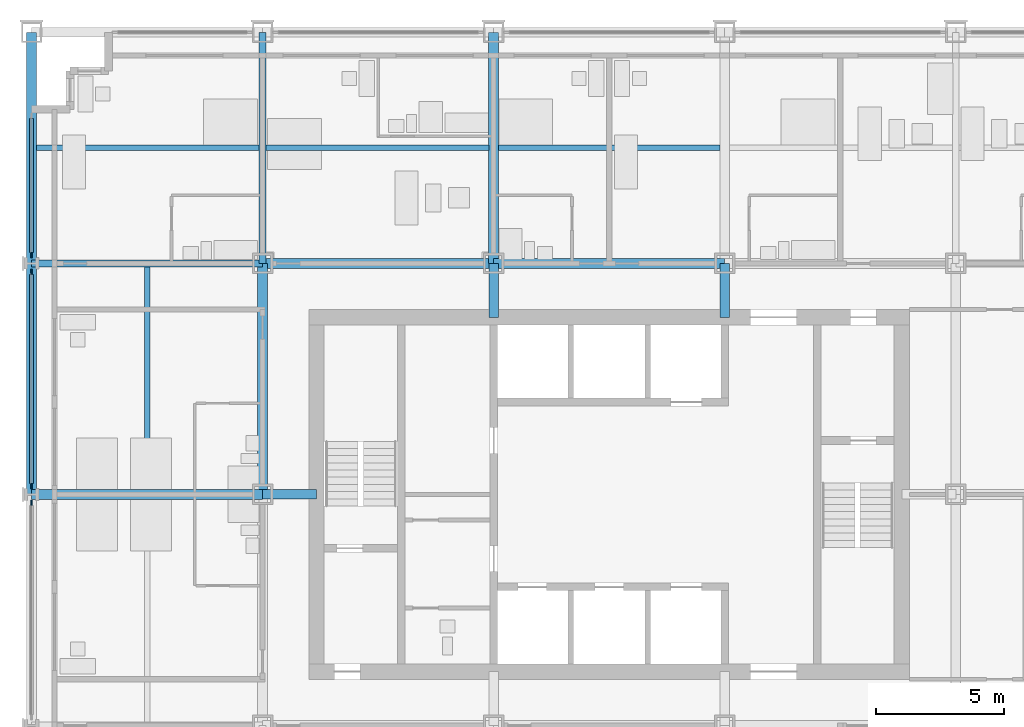
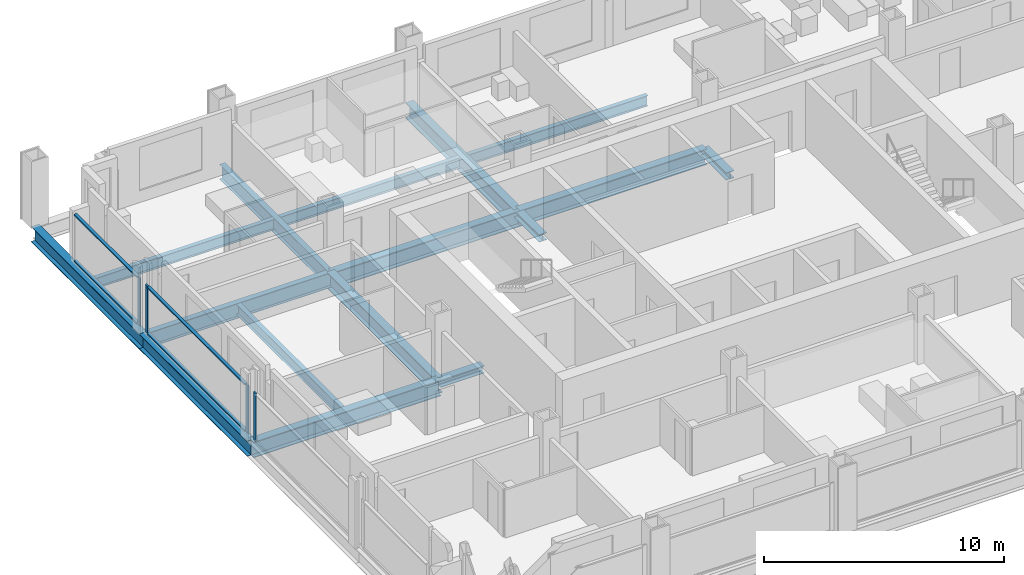
# One storey, part 4 of 18: 13 beams, 11 members, 3 elements without a shape of their own.
"""IFC4 building model written with IfcOpenShell, lengths in metres."""

from ifc_helpers import new_model, si_unit, direction, frame, origin, origin_2d, place, context, subcontext, project, spatial, rectangle, i_section, extrude, material, material_profile, profile_set, type_object, element, aggregate, save


model = new_model("IFC4")

# Units and contexts
model_context = context("Model", 3, precision=1e-05, world=origin(), true_north=direction((0.0, 1.0)))
body_context = subcontext(model_context, "Body", "Model", "MODEL_VIEW")
ifc_project = project(units=[si_unit("LENGTHUNIT", "METRE"), si_unit("AREAUNIT", "SQUARE_METRE"), si_unit("VOLUMEUNIT", "CUBIC_METRE"), si_unit("PLANEANGLEUNIT", "RADIAN"), si_unit("MASSUNIT", "GRAM", prefix="KILO")], contexts=[model_context])

# Site, building, storey
site_placement = place(None, origin())
site = spatial("IfcSite", under=ifc_project, at=site_placement, CompositionType="ELEMENT")
building_placement = place(site_placement, origin())
building = spatial("IfcBuilding", under=site, at=building_placement, Name="Loomwork Tower", CompositionType="ELEMENT")
storey_placement = place(building_placement, frame((0.0, 0.0, 72.199951171875)))
storey = spatial("IfcBuildingStorey", under=building, at=storey_placement, Name="L18", CompositionType="ELEMENT", Elevation=72.199951171875)

# Beams
ifc_material_1 = material(Name="Steel ASTM A992", Category="steel")
ifc_material_profile_1 = material_profile(ifc_material_1, i_section(OverallWidth=0.383544921875, OverallDepth=0.794921875, WebThickness=0.02099609375, FlangeThickness=0.0380859375, at=origin_2d()), Name="W30x235")
ifc_profile_set_1 = profile_set([ifc_material_profile_1], Name="Steel ASTM A992")
beam_type_1 = type_object("IfcBeamType", Name="CORE FLANK GIRDER W30x235", PredefinedType="BEAM", material=ifc_profile_set_1)
for number, where, z_axis, x_axis, name in (
    (1, (0.0, 18.0, -0.597412109375), (1.0, 0.0, 0.0), (0.0, 1.0, 0.0), "Core Flank Girder F/2-F/3 L18"),
    (2, (9.0, 27.0, -0.597412109375), (1.0, 0.0, 0.0), (0.0, 1.0, 0.0), "Core Flank Girder G/3-G/4 L18"),
    (3, (18.0, 27.0, -0.597412109375), (1.0, 0.0, 0.0), (0.0, 1.0, 0.0), "Core Flank Girder G/4-G/5 L18"),
    (4, (9.0, 18.0, -0.597412109375), (0.0, 1.0, 0.0), (-1.0, 0.0, 0.0), "Core Flank Girder F/3-G/3 L18"),
    (5, (18.0, 27.0, -0.597412109375), (0.0, 1.0, 0.0), (-1.0, 0.0, 0.0), "Core Flank Girder G/4-H/4 L18"),
):
    element("IfcBeam", number, at=place(storey_placement, frame(where, z_axis=z_axis, x_axis=x_axis)), inside=storey, type_object=beam_type_1, Name=name, PredefinedType="BEAM", context=body_context, shape_type="SweptSolid", body=[
        extrude(i_section(OverallWidth=0.383544921875, OverallDepth=0.794921875, WebThickness=0.02099609375, FlangeThickness=0.0380859375, at=origin_2d()), origin(), (0.0, 0.0, 1.0), 9.0),
    ])

# Members
ifc_material_2 = material(Name="Steel ASTM A992", Category="steel")
ifc_material_profile_2 = material_profile(ifc_material_2, i_section(OverallWidth=0.373291015625, OverallDepth=0.373291015625, WebThickness=0.016357421875, FlangeThickness=0.026123046875, at=origin_2d()), Name="W14x132")
ifc_profile_set_2 = profile_set([ifc_material_profile_2], Name="Steel ASTM A992")
member_type_1 = type_object("IfcMemberType", Name="CORE LINK STRUT W14x132", PredefinedType="STRUT", material=ifc_profile_set_2)
for number, where, z_axis, x_axis, name in (
    (6, (27.0, 27.0, -0.38671875), (0.0, -1.0, 0.0), (1.0, 0.0, 0.0), "Core link strut G/5-27.000,24.900 L18"),
    (7, (18.0, 27.0, -0.38671875), (0.0, -1.0, 0.0), (1.0, 0.0, 0.0), "Core link strut G/4-18.000,24.900 L18"),
    (8, (9.0, 18.0, -0.38671875), (1.0, 0.0, 0.0), (0.0, 1.0, 0.0), "Core link strut F/3-11.100,18.000 L18"),
):
    element("IfcMember", number, at=place(storey_placement, frame(where, z_axis=z_axis, x_axis=x_axis)), inside=storey, type_object=member_type_1, Name=name, PredefinedType="STRUT", context=body_context, shape_type="SweptSolid", body=[
        extrude(i_section(OverallWidth=0.373291015625, OverallDepth=0.373291015625, WebThickness=0.016357421875, FlangeThickness=0.026123046875, at=origin_2d()), origin(), (0.0, 0.0, 1.0), 2.10009765625),
    ])

# Beams
ifc_material_3 = material(Name="Steel ASTM A992", Category="steel")
ifc_material_profile_3 = material_profile(ifc_material_3, i_section(OverallWidth=0.2666015625, OverallDepth=0.761962890625, WebThickness=0.014404296875, FlangeThickness=0.021484375, at=origin_2d()), Name="W30x116")
ifc_profile_set_3 = profile_set([ifc_material_profile_3], Name="Steel ASTM A992")
beam_type_2 = type_object("IfcBeamType", Name="FLOOR GIRDER W30x116", PredefinedType="BEAM", material=ifc_profile_set_3)
for number, where, z_axis, x_axis, name in (
    (9, (0.0, 27.0, -0.5810546875), (1.0, 0.0, 0.0), (0.0, 1.0, 0.0), "Floor Girder G/2-G/3 L18"),
    (10, (9.0, 27.0, -0.5810546875), (0.0, 1.0, 0.0), (-1.0, 0.0, 0.0), "Floor Girder G/3-H/3 L18"),
):
    element("IfcBeam", number, at=place(storey_placement, frame(where, z_axis=z_axis, x_axis=x_axis)), inside=storey, type_object=beam_type_2, Name=name, PredefinedType="BEAM", context=body_context, shape_type="SweptSolid", body=[
        extrude(i_section(OverallWidth=0.2666015625, OverallDepth=0.761962890625, WebThickness=0.014404296875, FlangeThickness=0.021484375, at=origin_2d()), origin(), (0.0, 0.0, 1.0), 9.0),
    ])
ifc_material_4 = material(Name="Steel ASTM A992", Category="steel")
ifc_material_profile_4 = material_profile(ifc_material_4, i_section(OverallWidth=0.2109375, OverallDepth=0.53857421875, WebThickness=0.011474609375, FlangeThickness=0.018798828125, at=origin_2d()), Name="W21x73")
ifc_profile_set_4 = profile_set([ifc_material_profile_4], Name="Steel ASTM A992")
beam_type_3 = type_object("IfcBeamType", Name="FLOOR JOIST W21x73", PredefinedType="JOIST", material=ifc_profile_set_4)
beam_1_placement = place(storey_placement, frame((4.5, 18.19091796875, -0.46923828125), z_axis=(0.0, 1.0, 0.0), x_axis=(-1.0, 0.0, 0.0)))
element("IfcBeam", 11, at=beam_1_placement, inside=storey, type_object=beam_type_3, Name="Floor Joist 4.500,18.000-4.500,27.000 L18", PredefinedType="JOIST", context=body_context, shape_type="SweptSolid", body=[
    extrude(i_section(OverallWidth=0.2109375, OverallDepth=0.53857421875, WebThickness=0.011474609375, FlangeThickness=0.018798828125, at=origin_2d()), origin(), (0.0, 0.0, 1.0), 8.676025390625),
])
beam_2_placement = place(storey_placement, frame((0.18994140625, 31.5, -0.46923828125), z_axis=(1.0, 0.0, 0.0), x_axis=(0.0, 1.0, 0.0)))
element("IfcBeam", 12, at=beam_2_placement, inside=storey, type_object=beam_type_3, Name="Floor Joist 0.000,31.500-9.000,31.500 L18", PredefinedType="JOIST", context=body_context, shape_type="SweptSolid", body=[
    extrude(i_section(OverallWidth=0.2109375, OverallDepth=0.53857421875, WebThickness=0.011474609375, FlangeThickness=0.018798828125, at=origin_2d()), origin(), (0.0, 0.0, 1.0), 8.677001953125),
])
beam_3_placement = place(storey_placement, frame((9.133056640625, 31.5, -0.46923828125), z_axis=(1.0, 0.0, 0.0), x_axis=(0.0, 1.0, 0.0)))
element("IfcBeam", 13, at=beam_3_placement, inside=storey, type_object=beam_type_3, Name="Floor Joist 9.000,31.500-18.000,31.500 L18", PredefinedType="JOIST", context=body_context, shape_type="SweptSolid", body=[
    extrude(i_section(OverallWidth=0.2109375, OverallDepth=0.53857421875, WebThickness=0.011474609375, FlangeThickness=0.018798828125, at=origin_2d()), origin(), (0.0, 0.0, 1.0), 8.676025390625),
])
beam_4_placement = place(storey_placement, frame((18.19091796875, 31.5, -0.46923828125), z_axis=(1.0, 0.0, 0.0), x_axis=(0.0, 1.0, 0.0)))
element("IfcBeam", 14, at=beam_4_placement, inside=storey, type_object=beam_type_3, Name="Floor Joist 18.000,31.500-27.000,31.500 L18", PredefinedType="JOIST", context=body_context, shape_type="SweptSolid", body=[
    extrude(i_section(OverallWidth=0.2109375, OverallDepth=0.53857421875, WebThickness=0.011474609375, FlangeThickness=0.018798828125, at=origin_2d()), origin(), (0.0, 0.0, 1.0), 8.6181640625),
])

# Curtain wall, member
ifc_material_5 = material(Name="Aluminium curtain wall frame", Category="aluminium")
curtain_wall_type = type_object("IfcCurtainWallType", Name="Outer skin glazing hotel", PredefinedType="NOTDEFINED", material=ifc_material_5)
curtain_wall_1_placement = place(storey_placement, origin())
curtain_wall_1 = element("IfcCurtainWall", 15, at=curtain_wall_1_placement, inside=storey, type_object=curtain_wall_type, Name="Outer skin glazing hotel cw/W-9", PredefinedType="NOTDEFINED")
ifc_material_6 = material(Name="Aluminium curtain wall frame", Category="aluminium")
ifc_material_profile_5 = material_profile(ifc_material_6, rectangle(XDim=0.06494140625, YDim=0.199951171875, at=origin_2d()), Name="AL 65x200")
ifc_profile_set_5 = profile_set([ifc_material_profile_5], Name="Aluminium curtain wall frame")
member_type_2 = type_object("IfcMemberType", Name="Outer skin glazing hotel mullion", PredefinedType="MULLION", material=ifc_profile_set_5)
member_1_placement = place(storey_placement, frame((0.0, 17.672607421875, 0.0), z_axis=(0.0, 0.0, 1.0), x_axis=(1.0, 0.0, 0.0)))
member_1 = element("IfcMember", 16, at=member_1_placement, type_object=member_type_2, Name="CW1 mullion 1", PredefinedType="MULLION", context=body_context, shape_type="SweptSolid", body=[
    extrude(rectangle(XDim=0.06494140625, YDim=0.199951171875, at=origin_2d()), origin(), (0.0, 0.0, 1.0), 2.420166015625),
])
aggregate(curtain_wall_1, [member_1])

# Curtain wall, members
curtain_wall_2_placement = place(storey_placement, origin())
curtain_wall_2 = element("IfcCurtainWall", 17, at=curtain_wall_2_placement, inside=storey, type_object=curtain_wall_type, Name="Outer skin glazing hotel cw/W-18", PredefinedType="NOTDEFINED")
member_2_placement = place(storey_placement, frame((0.0, 26.672607421875, 0.0), z_axis=(0.0, 0.0, 1.0), x_axis=(1.0, 0.0, 0.0)))
member_2 = element("IfcMember", 18, at=member_2_placement, type_object=member_type_2, Name="CW1 mullion 1", PredefinedType="MULLION", context=body_context, shape_type="SweptSolid", body=[
    extrude(rectangle(XDim=0.06494140625, YDim=0.199951171875, at=origin_2d()), origin(), (0.0, 0.0, 1.0), 2.420166015625),
])
member_3_placement = place(storey_placement, frame((0.0, 18.327392578125, 0.0), z_axis=(0.0, 0.0, 1.0), x_axis=(1.0, 0.0, 0.0)))
member_3 = element("IfcMember", 19, at=member_3_placement, type_object=member_type_2, Name="CW1 mullion 2", PredefinedType="MULLION", context=body_context, shape_type="SweptSolid", body=[
    extrude(rectangle(XDim=0.06494140625, YDim=0.199951171875, at=origin_2d()), origin(), (0.0, 0.0, 1.0), 2.420166015625),
])

# Curtain wall, member
curtain_wall_3_placement = place(storey_placement, origin())
curtain_wall_3 = element("IfcCurtainWall", 20, at=curtain_wall_3_placement, inside=storey, type_object=curtain_wall_type, Name="Outer skin glazing hotel cw/W-27", PredefinedType="NOTDEFINED")
member_4_placement = place(storey_placement, frame((0.0, 27.327392578125, 0.0), z_axis=(0.0, 0.0, 1.0), x_axis=(1.0, 0.0, 0.0)))
member_4 = element("IfcMember", 21, at=member_4_placement, type_object=member_type_2, Name="CW1 mullion 2", PredefinedType="MULLION", context=body_context, shape_type="SweptSolid", body=[
    extrude(rectangle(XDim=0.06494140625, YDim=0.199951171875, at=origin_2d()), origin(), (0.0, 0.0, 1.0), 2.420166015625),
])

# Member
ifc_material_7 = material(Name="Aluminium curtain wall frame", Category="aluminium")
ifc_material_profile_6 = material_profile(ifc_material_7, rectangle(XDim=0.14990234375, YDim=0.06494140625, at=origin_2d()), Name="AL 65x150")
ifc_profile_set_6 = profile_set([ifc_material_profile_6], Name="Aluminium curtain wall frame")
member_type_3 = type_object("IfcMemberType", Name="Outer skin glazing hotel transom", PredefinedType="USERDEFINED", material=ifc_profile_set_6)
member_5_placement = place(storey_placement, frame((0.0, 26.57275390625, 0.032470703125), z_axis=(0.0, -1.0, 0.0), x_axis=(1.0, 0.0, 0.0)))
member_5 = element("IfcMember", 22, at=member_5_placement, type_object=member_type_3, Name="CW1 transom 1.1", ObjectType="TRANSOM", PredefinedType="USERDEFINED", context=body_context, shape_type="SweptSolid", body=[
    extrude(rectangle(XDim=0.14990234375, YDim=0.06494140625, at=origin_2d()), origin(), (0.0, 0.0, 1.0), 8.1455078125),
])

member_6_placement = place(storey_placement, frame((0.0, 26.57275390625, 2.3876953125), z_axis=(0.0, -1.0, 0.0), x_axis=(1.0, 0.0, 0.0)))
member_6 = element("IfcMember", 23, at=member_6_placement, type_object=member_type_3, Name="CW1 transom 1.2", ObjectType="TRANSOM", PredefinedType="USERDEFINED", context=body_context, shape_type="SweptSolid", body=[
    extrude(rectangle(XDim=0.14990234375, YDim=0.06494140625, at=origin_2d()), origin(), (0.0, 0.0, 1.0), 8.1455078125),
])

aggregate(curtain_wall_2, [member_2, member_3, member_5, member_6])

member_7_placement = place(storey_placement, frame((0.0, 32.64990234375, 0.032470703125), z_axis=(0.0, -1.0, 0.0), x_axis=(1.0, 0.0, 0.0)))
member_7 = element("IfcMember", 24, at=member_7_placement, type_object=member_type_3, Name="CW1 transom 1.1", ObjectType="TRANSOM", PredefinedType="USERDEFINED", context=body_context, shape_type="SweptSolid", body=[
    extrude(rectangle(XDim=0.14990234375, YDim=0.06494140625, at=origin_2d()), origin(), (0.0, 0.0, 1.0), 5.22265625),
])

member_8_placement = place(storey_placement, frame((0.0, 32.64990234375, 2.3876953125), z_axis=(0.0, -1.0, 0.0), x_axis=(1.0, 0.0, 0.0)))
member_8 = element("IfcMember", 25, at=member_8_placement, type_object=member_type_3, Name="CW1 transom 1.2", ObjectType="TRANSOM", PredefinedType="USERDEFINED", context=body_context, shape_type="SweptSolid", body=[
    extrude(rectangle(XDim=0.14990234375, YDim=0.06494140625, at=origin_2d()), origin(), (0.0, 0.0, 1.0), 5.22265625),
])

aggregate(curtain_wall_3, [member_4, member_7, member_8])

# Beams
ifc_material_8 = material(Name="Steel ASTM A992", Category="steel")
ifc_material_profile_7 = material_profile(ifc_material_8, i_section(OverallWidth=0.381103515625, OverallDepth=0.77978515625, WebThickness=0.01806640625, FlangeThickness=0.0302734375, at=origin_2d()), Name="W30x191")
ifc_profile_set_7 = profile_set([ifc_material_profile_7], Name="Steel ASTM A992")
beam_type_4 = type_object("IfcBeamType", Name="SPANDREL GIRDER W30x191", PredefinedType="SPANDREL", material=ifc_profile_set_7)
for number, where, z_axis, x_axis, name in (
    (26, (0.0, 18.0, -0.58984375), (0.0, 1.0, 0.0), (-1.0, 0.0, 0.0), "Spandrel Girder F/2-G/2 L18"),
    (27, (0.0, 27.0, -0.58984375), (0.0, 1.0, 0.0), (-1.0, 0.0, 0.0), "Spandrel Girder G/2-H/2 L18"),
):
    element("IfcBeam", number, at=place(storey_placement, frame(where, z_axis=z_axis, x_axis=x_axis)), inside=storey, type_object=beam_type_4, Name=name, PredefinedType="SPANDREL", context=body_context, shape_type="SweptSolid", body=[
        extrude(i_section(OverallWidth=0.381103515625, OverallDepth=0.77978515625, WebThickness=0.01806640625, FlangeThickness=0.0302734375, at=origin_2d()), origin(), (0.0, 0.0, 1.0), 9.0),
    ])

save(model, "model.ifc")
